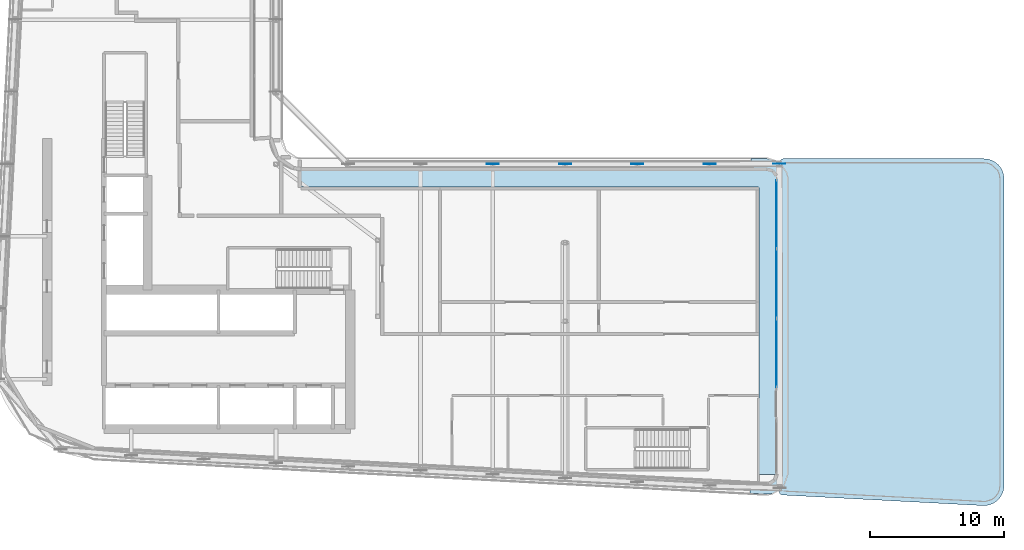
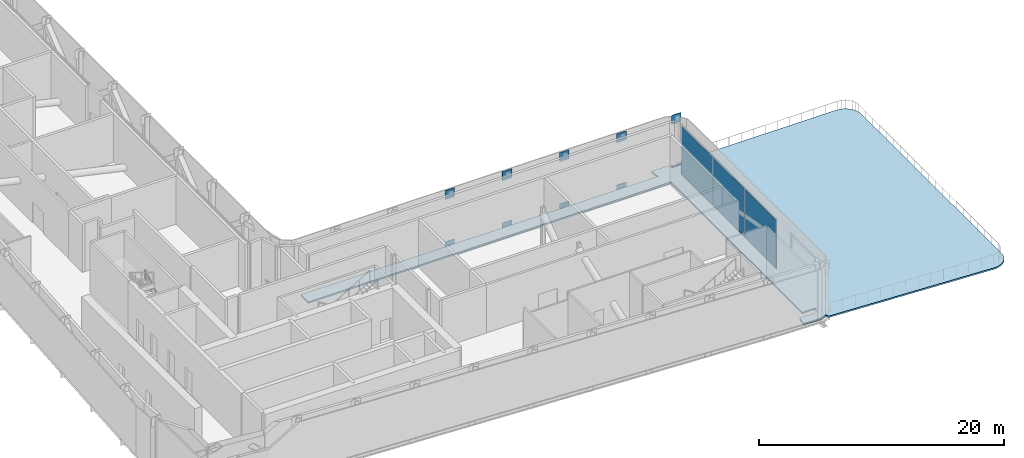
# One storey, part 9 of 23: 13 plates, 1 slab, 1 element without a shape of its own.
"""IFC4 building model written with IfcOpenShell, lengths in metres."""

import ifcopenshell
import ifcopenshell.guid

model = None  # the IFC model being written
_history = None  # IfcOwnerHistory: only IFC2X3 demands one
_inside = {}  # id of a spatial element -> (the spatial element, [elements in it])
_under = {}  # id of a project, library or spatial element -> (it, [spatial elements below it])
_declared = {}  # id of a project -> (the project, [libraries it declares])
_typed = {}  # id of a type object -> (the type object, [elements of that type])
_made_of = {}  # id of a material, layer set ... -> (it, [elements and type objects made of it])


def new_model(schema):
    """Start an empty IFC model of exactly this schema.

    Asked for "IFC4X3", IfcOpenShell would pick the latest addendum, in which some entities
    have other attributes; the version numbers below select the first issue.
    IFC2X3 requires an IfcOwnerHistory on every rooted entity: one is made here for all.
    """
    global model, _history
    if schema == "IFC4X3":
        model = ifcopenshell.file(schema_version=(4, 3, 0, 0))
    else:
        model = ifcopenshell.file(schema=schema)
    _inside.clear()
    _under.clear()
    _declared.clear()
    _typed.clear()
    _made_of.clear()
    _history = None
    if model.schema == "IFC2X3":
        org = make("IfcOrganization", Name="unknown")
        user = make(
            "IfcPersonAndOrganization",
            ThePerson=make("IfcPerson", FamilyName="unknown"),
            TheOrganization=org,
        )
        app = make(
            "IfcApplication",
            ApplicationDeveloper=org,
            Version="unknown",
            ApplicationFullName="unknown",
            ApplicationIdentifier="unknown",
        )
        _history = make(
            "IfcOwnerHistory",
            OwningUser=user,
            OwningApplication=app,
            ChangeAction="ADDED",
            CreationDate=0,
        )
    return model


def make(cls, **values):
    """One entity of the class cls with the attributes given. An attribute that is None is left unset."""
    return model.create_entity(
        cls, **{name: value for name, value in values.items() if value is not None}
    )


def rooted(cls, **values):
    """An entity with a GlobalId (a new one), such as an element, a storey or a relation."""
    return make(cls, GlobalId=ifcopenshell.guid.new(), OwnerHistory=_history, **values)


def si_unit(unit_type, name, prefix=None):
    """IfcSIUnit, for example si_unit("LENGTHUNIT", "METRE", prefix="MILLI")."""
    return make("IfcSIUnit", UnitType=unit_type, Prefix=prefix, Name=name)


def assignment(units):
    """IfcUnitAssignment: the units of a project."""
    return None if units is None else make("IfcUnitAssignment", Units=units)


def point(xyz):
    """IfcCartesianPoint."""
    return None if xyz is None else make("IfcCartesianPoint", Coordinates=xyz)


def direction(xyz):
    """IfcDirection."""
    return None if xyz is None else make("IfcDirection", DirectionRatios=xyz)


def frame(location, z_axis=None, x_axis=None):
    """IfcAxis2Placement3D, a coordinate frame: its origin and axes. An axis left out is left unset."""
    return make(
        "IfcAxis2Placement3D",
        Location=point(location),
        Axis=direction(z_axis),
        RefDirection=direction(x_axis),
    )


def frame_2d(location, x_axis=None):
    """IfcAxis2Placement2D, a coordinate frame in the plane: its origin and x axis."""
    return make(
        "IfcAxis2Placement2D", Location=point(location), RefDirection=direction(x_axis)
    )


def origin():
    """The frame at (0, 0, 0) with its axes left unset."""
    return frame((0.0, 0.0, 0.0))


def origin_2d():
    """The frame at (0, 0) in the plane with its x axis left unset."""
    return frame_2d((0.0, 0.0))


def place(relative_to, where):
    """IfcLocalPlacement: puts the frame where relative to a parent placement (None: the world)."""
    return make(
        "IfcLocalPlacement", PlacementRelTo=relative_to, RelativePlacement=where
    )


def context(
    kind, dimensions, precision=None, world=None, true_north=None, identifier=None
):
    """IfcGeometricRepresentationContext, for example the 3D "Model" context."""
    return make(
        "IfcGeometricRepresentationContext",
        ContextIdentifier=identifier,
        ContextType=kind,
        CoordinateSpaceDimension=dimensions,
        Precision=precision,
        WorldCoordinateSystem=world,
        TrueNorth=true_north,
    )


def subcontext(parent, identifier, kind, view, scale=None):
    """IfcGeometricRepresentationSubContext, for example "Body" below "Model"."""
    return make(
        "IfcGeometricRepresentationSubContext",
        ContextIdentifier=identifier,
        ContextType=kind,
        ParentContext=parent,
        TargetScale=scale,
        TargetView=view,
    )


def project(units=None, contexts=None):
    """IfcProject with its units and contexts."""
    return rooted(
        "IfcProject",
        Name="project",
        RepresentationContexts=contexts,
        UnitsInContext=assignment(units),
    )


def spatial(cls, under=None, at=None, **own):
    """A site, building, storey or space (cls), placed at a placement, below another one or the project."""
    s = rooted(cls, ObjectPlacement=at, **own)
    if under is not None:
        _under.setdefault(under.id(), (under, []))[1].append(s)
    return s


def polyline(points):
    """IfcPolyline through the points."""
    return make("IfcPolyline", Points=[point(p) for p in points])


def profile(cls, at=None, kind="AREA", **sizes):
    """A parametric profile (cls). Its sizes go by their IFC names, for example OverallWidth=200.0."""
    return make(cls, ProfileType=kind, Position=at, **sizes)


def rectangle(**sizes):
    """IfcRectangleProfileDef."""
    return profile("IfcRectangleProfileDef", **sizes)


def outline(outer, holes=None, kind="AREA"):
    """IfcArbitraryClosedProfileDef: a profile drawn as a closed curve; with holes, ...WithVoids."""
    if holes is None:
        return make("IfcArbitraryClosedProfileDef", ProfileType=kind, OuterCurve=outer)
    return make(
        "IfcArbitraryProfileDefWithVoids",
        ProfileType=kind,
        OuterCurve=outer,
        InnerCurves=holes,
    )


def extrude(swept, where, along, depth):
    """IfcExtrudedAreaSolid: the profile swept, set in the frame where, extruded along a direction by depth."""
    return make(
        "IfcExtrudedAreaSolid",
        SweptArea=swept,
        Position=where,
        ExtrudedDirection=direction(along),
        Depth=depth,
    )


def shape(context_of_items, identifier, shape_type, items):
    """IfcShapeRepresentation: the items that make up one representation, for example the "Body"."""
    return make(
        "IfcShapeRepresentation",
        ContextOfItems=context_of_items,
        RepresentationIdentifier=identifier,
        RepresentationType=shape_type,
        Items=items,
    )


def material(Name=None, Category=None):
    """IfcMaterial."""
    return make("IfcMaterial", Name=Name, Category=Category)


def layer(
    of_material, thickness, ventilated=None, Name=None, Category=None, Priority=None
):
    """IfcMaterialLayer: one layer of a wall or slab, of a material (None: an air gap)."""
    return make(
        "IfcMaterialLayer",
        Material=of_material,
        LayerThickness=thickness,
        IsVentilated=ventilated,
        Name=Name,
        Category=Category,
        Priority=Priority,
    )


def layer_set(layers, Name=None):
    """IfcMaterialLayerSet."""
    return make("IfcMaterialLayerSet", MaterialLayers=layers, LayerSetName=Name)


def made_of(thing, what):
    """Note that an element or type object is made of a material, layer set ...; save() writes the relation."""
    if what is not None:
        _made_of.setdefault(what.id(), (what, []))[1].append(thing)
    return thing


def type_object(cls, material=None, **own):
    """A type object (cls), such as IfcWallType, which elements share."""
    return made_of(rooted(cls, **own), material)


def element(
    cls,
    number,
    at=None,
    inside=None,
    cuts=None,
    type_object=None,
    material=None,
    context=None,
    identifier="Body",
    shape_type=None,
    held_by="IfcProductDefinitionShape",
    body=None,
    shapes=None,
    **own,
):
    """One element of the class cls, such as IfcWall. Its Tag is "e" and its number.

    at: its placement. inside: the storey or other place that contains it. cuts: it is an
    opening in that element (IfcRelVoidsElement). A single representation is given by context,
    identifier, shape_type and body (its items); several are given by shapes. held_by: the class
    of the entity that holds the representations. save() writes the other relations.
    """
    e = rooted(cls, Tag="e%d" % number, ObjectPlacement=at, **own)
    if body is not None:
        shapes = [shape(context, identifier, shape_type, body)]
    if shapes is not None:
        e.Representation = make(held_by, Representations=shapes)
    if inside is not None:
        _inside.setdefault(inside.id(), (inside, []))[1].append(e)
    if cuts is not None:
        rooted(
            "IfcRelVoidsElement", RelatingBuildingElement=cuts, RelatedOpeningElement=e
        )
    if type_object is not None:
        _typed.setdefault(type_object.id(), (type_object, []))[1].append(e)
    return made_of(e, material)


def aggregate(whole, parts):
    """IfcRelAggregates: a whole, such as a stair, and the parts it consists of."""
    return rooted("IfcRelAggregates", RelatingObject=whole, RelatedObjects=parts)


def save(model, path):
    """Write the relations noted so far, then the file.

    IfcRelAggregates (storeys below a building ...), IfcRelContainedInSpatialStructure (elements
    in a storey), IfcRelDefinesByType, IfcRelAssociatesMaterial and IfcRelDeclares: one each for
    every whole, place, type object, material and project.
    """
    for whole, parts in _under.values():
        aggregate(whole, parts)
    for where, things in _inside.values():
        rooted(
            "IfcRelContainedInSpatialStructure",
            RelatedElements=things,
            RelatingStructure=where,
        )
    for kind, things in _typed.values():
        rooted("IfcRelDefinesByType", RelatedObjects=things, RelatingType=kind)
    for what, things in _made_of.values():
        rooted("IfcRelAssociatesMaterial", RelatedObjects=things, RelatingMaterial=what)
    for by, libraries in _declared.values():
        rooted("IfcRelDeclares", RelatingContext=by, RelatedDefinitions=libraries)
    model.write(path)


model = new_model("IFC4")

# Units and contexts
model_context = context("Model", 3, precision=1e-05, world=origin(), true_north=direction((0.0, 1.0)))
body_context = subcontext(model_context, "Body", "Model", "MODEL_VIEW")
ifc_project = project(units=[si_unit("LENGTHUNIT", "METRE"), si_unit("AREAUNIT", "SQUARE_METRE"), si_unit("VOLUMEUNIT", "CUBIC_METRE"), si_unit("PLANEANGLEUNIT", "RADIAN"), si_unit("MASSUNIT", "GRAM", prefix="KILO")], contexts=[model_context])

# Site, building, storey
site_placement = place(None, origin())
site = spatial("IfcSite", under=ifc_project, at=site_placement, CompositionType="ELEMENT")
building_placement = place(site_placement, origin())
building = spatial("IfcBuilding", under=site, at=building_placement, Name="Kheshtan School and Residences Tower", CompositionType="ELEMENT")
storey_placement = place(building_placement, frame((0.0, 0.0, 211.10009765625)))
storey = spatial("IfcBuildingStorey", under=building, at=storey_placement, Name="L49", CompositionType="ELEMENT", Elevation=211.10009765625)

# Curtain wall, plates
ifc_material_1 = material(Name="Clear low-e glass in thermally broken aluminium frame", Category="aluminium")
ifc_layer_1 = layer(ifc_material_1, 0.25)
ifc_layer_set_1 = layer_set([ifc_layer_1], Name="Curtain wall CW-G")
curtain_wall_type = type_object("IfcCurtainWallType", Name="Curtain wall CW-G", PredefinedType="NOTDEFINED", material=ifc_layer_set_1)
curtain_wall_placement = place(storey_placement, origin())
curtain_wall = element("IfcCurtainWall", 1, at=curtain_wall_placement, inside=storey, type_object=curtain_wall_type, Name="Curtain wall CWG3", PredefinedType="NOTDEFINED")
ifc_material_2 = material(Name="Insulated terracotta infill panel", Category="masonry")
ifc_layer_2 = layer(ifc_material_2, 0.0380859375)
ifc_layer_set_2 = layer_set([ifc_layer_2], Name="CW-G insulated infill panel")
plate_type_1 = type_object("IfcPlateType", Name="CW-G insulated infill panel", PredefinedType="CURTAIN_PANEL", material=ifc_layer_set_2)
plate_1_placement = place(storey_placement, frame((85.0, 41.85498046875, 0.0), z_axis=(0.0, 0.0, 1.0), x_axis=(0.0, -1.0, 0.0)))
plate_1 = element("IfcPlate", 2, at=plate_1_placement, type_object=plate_type_1, Name="CWG3 infill 1.1", PredefinedType="CURTAIN_PANEL", context=body_context, shape_type="SweptSolid", body=[
    extrude(rectangle(XDim=5.110107421875, YDim=0.0380859375, at=origin_2d()), origin(), (0.0, 0.0, 1.0), 4.7900390625),
])
plate_2_placement = place(storey_placement, frame((85.0, 36.669921875, 0.0), z_axis=(0.0, 0.0, 1.0), x_axis=(0.0, -1.0, 0.0)))
plate_2 = element("IfcPlate", 3, at=plate_2_placement, type_object=plate_type_1, Name="CWG3 infill 2.1", PredefinedType="CURTAIN_PANEL", context=body_context, shape_type="SweptSolid", body=[
    extrude(rectangle(XDim=5.139892578125, YDim=0.0380859375, at=origin_2d()), origin(), (0.0, 0.0, 1.0), 4.7900390625),
])
plate_3_placement = place(storey_placement, frame((85.0, 31.485107421875, 0.0), z_axis=(0.0, 0.0, 1.0), x_axis=(0.0, -1.0, 0.0)))
plate_3 = element("IfcPlate", 4, at=plate_3_placement, type_object=plate_type_1, Name="CWG3 infill 3.1", PredefinedType="CURTAIN_PANEL", context=body_context, shape_type="SweptSolid", body=[
    extrude(rectangle(XDim=5.110107421875, YDim=0.0380859375, at=origin_2d()), origin(), (0.0, 0.0, 1.0), 4.7900390625),
])
aggregate(curtain_wall, [plate_1, plate_2, plate_3])

# Plates
ifc_material_3 = material(Name="Steel ASTM A992 Grade 50", Category="steel")
ifc_layer_3 = layer(ifc_material_3, 0.02490234375)
ifc_layer_set_3 = layer_set([ifc_layer_3], Name="Gusset plate 25 Steel ASTM A992 Grade 50")
plate_type_2 = type_object("IfcPlateType", Name="Gusset plate 25 Steel ASTM A992 Grade 50", PredefinedType="SHEET", material=ifc_layer_set_3)
for number, where, z_axis, x_axis, name in (
    (5, (63.800048828125, 45.60009765625, 4.300048828125), (0.0, 0.0, 1.0), (1.0, 0.0, 0.0), "Gusset plate 20"),
    (6, (63.800048828125, 45.60009765625, -0.800048828125), (0.0, 0.0, 1.0), (1.0, 0.0, 0.0), "Gusset plate 21"),
    (7, (69.199951171875, 45.60009765625, 4.300048828125), (0.0, 0.0, 1.0), (1.0, 0.0, 0.0), "Gusset plate 22"),
    (8, (69.199951171875, 45.60009765625, -0.800048828125), (0.0, 0.0, 1.0), (1.0, 0.0, 0.0), "Gusset plate 23"),
    (9, (74.60009765625, 45.60009765625, 4.300048828125), (0.0, 0.0, 1.0), (1.0, 0.0, 0.0), "Gusset plate 24"),
    (10, (74.60009765625, 45.60009765625, -0.800048828125), (0.0, 0.0, 1.0), (1.0, 0.0, 0.0), "Gusset plate 25"),
    (11, (80.0, 45.60009765625, 4.300048828125), (0.0, 0.0, 1.0), (1.0, 0.0, 0.0), "Gusset plate 26"),
    (12, (80.0, 45.60009765625, -0.800048828125), (0.0, 0.0, 1.0), (1.0, 0.0, 0.0), "Gusset plate 27"),
    (13, (85.201904296875, 45.6279296875, 4.300048828125), (0.0, 0.0, 1.0), (1.0, 0.0, 0.0), "Gusset plate 28"),
    (14, (85.201904296875, 45.6279296875, -0.800048828125), (0.0, 0.0, 1.0), (1.0, 0.0, 0.0), "Gusset plate 29"),
):
    element("IfcPlate", number, at=place(storey_placement, frame(where, z_axis=z_axis, x_axis=x_axis)), inside=storey, type_object=plate_type_2, Name=name, PredefinedType="SHEET", context=body_context, shape_type="SweptSolid", body=[
        extrude(rectangle(XDim=0.89990234375, YDim=0.02490234375, at=origin_2d()), origin(), (0.0, 0.0, 1.0), 0.89990234375),
    ])

# Slab
ifc_material_4 = material(Name="Concrete C40/50", Category="concrete")
ifc_layer_4 = layer(ifc_material_4, 0.14990234375)
ifc_layer_set_4 = layer_set([ifc_layer_4], Name="Terrace slab 150 Concrete C40/50")
slab_type = type_object("IfcSlabType", Name="Terrace slab 150 Concrete C40/50", PredefinedType="FLOOR", material=ifc_layer_set_4)
slab_placement = place(storey_placement, frame((0.0, 0.0, -0.150146484375)))
element("IfcSlab", 15, at=slab_placement, inside=storey, type_object=slab_type, Name="Terrace slab L49", PredefinedType="FLOOR", context=body_context, shape_type="SweptSolid", body=[
    extrude(outline(polyline([(49.47998046875, 43.923095703125), (49.47998046875, 45.076904296875), (49.47998046875, 45.077880859375), (49.48095703125, 45.077880859375), (49.48095703125, 45.0791015625), (49.48095703125, 45.08203125), (49.48095703125, 45.0830078125), (49.48193359375, 45.0830078125), (49.48193359375, 45.083984375), (49.48193359375, 45.0859375), (49.48193359375, 45.0869140625), (49.48291015625, 45.0869140625), (49.48291015625, 45.087890625), (49.48291015625, 45.089111328125), (49.48291015625, 45.090087890625), (49.48388671875, 45.090087890625), (49.48388671875, 45.091064453125), (49.485107421875, 45.091064453125), (49.485107421875, 45.092041015625), (49.486083984375, 45.092041015625), (49.486083984375, 45.093017578125), (49.486083984375, 45.093994140625), (49.487060546875, 45.093994140625), (49.487060546875, 45.094970703125), (49.487060546875, 45.095947265625), (49.488037109375, 45.095947265625), (49.488037109375, 45.096923828125), (49.488037109375, 45.097900390625), (49.501953125, 45.112060546875), (49.5029296875, 45.112060546875), (49.50390625, 45.112060546875), (49.50390625, 45.113037109375), (49.5048828125, 45.113037109375), (49.506103515625, 45.113037109375), (49.506103515625, 45.114013671875), (49.507080078125, 45.114013671875), (49.508056640625, 45.114013671875), (49.508056640625, 45.114990234375), (49.509033203125, 45.114990234375), (49.509033203125, 45.115966796875), (49.510009765625, 45.115966796875), (49.510986328125, 45.115966796875), (49.510986328125, 45.116943359375), (49.511962890625, 45.116943359375), (49.512939453125, 45.116943359375), (49.512939453125, 45.117919921875), (49.513916015625, 45.117919921875), (49.51611328125, 45.117919921875), (49.51708984375, 45.117919921875), (49.51708984375, 45.118896484375), (49.51806640625, 45.118896484375), (49.52099609375, 45.118896484375), (49.52197265625, 45.118896484375), (49.52197265625, 45.1201171875), (49.52294921875, 45.1201171875), (83.155029296875, 45.1201171875), (83.156005859375, 45.1201171875), (83.156005859375, 45.12109375), (83.156982421875, 45.12109375), (83.156982421875, 45.1220703125), (83.156982421875, 45.1240234375), (83.156982421875, 45.125), (83.15087890625, 45.138916015625), (83.15087890625, 45.14306640625), (83.14501953125, 45.1669921875), (83.10888671875, 45.339111328125), (83.10498046875, 45.363037109375), (83.076904296875, 45.636962890625), (83.075927734375, 45.662109375), (83.075927734375, 45.837890625), (83.076904296875, 45.863037109375), (83.091064453125, 45.9990234375), (83.091064453125, 46.0), (83.092041015625, 46.0), (84.300048828125, 46.0), (84.49609375, 45.987060546875), (84.68798828125, 45.948974609375), (84.69189453125, 45.948974609375), (84.8740234375, 45.885986328125), (85.04296875, 45.801025390625), (85.0439453125, 45.801025390625), (85.0458984375, 45.801025390625), (85.047119140625, 45.801025390625), (85.047119140625, 45.802001953125), (85.048095703125, 45.802001953125), (85.048095703125, 45.802978515625), (85.049072265625, 45.802978515625), (85.051025390625, 45.802978515625), (85.052001953125, 45.802978515625), (85.052001953125, 45.802001953125), (85.052978515625, 45.802001953125), (85.053955078125, 45.802001953125), (85.054931640625, 45.802001953125), (85.054931640625, 45.801025390625), (85.055908203125, 45.801025390625), (85.055908203125, 45.800048828125), (85.056884765625, 45.800048828125), (85.056884765625, 45.799072265625), (85.212890625, 45.695068359375), (85.214111328125, 45.695068359375), (85.214111328125, 45.694091796875), (85.215087890625, 45.694091796875), (85.215087890625, 45.693115234375), (85.215087890625, 45.68896484375), (85.215087890625, 45.68798828125), (85.216064453125, 45.68798828125), (85.216064453125, 45.68701171875), (85.217041015625, 45.68701171875), (85.217041015625, 45.68603515625), (85.322998046875, 45.593017578125), (85.323974609375, 45.593017578125), (85.324951171875, 45.593017578125), (85.325927734375, 45.593017578125), (85.325927734375, 45.593994140625), (85.326904296875, 45.593994140625), (85.326904296875, 45.594970703125), (85.326904296875, 45.595947265625), (85.326904296875, 45.596923828125), (85.31591796875, 45.611083984375), (85.303955078125, 45.632080078125), (85.29296875, 45.654052734375), (85.284912109375, 45.673095703125), (85.284912109375, 45.677001953125), (85.279052734375, 45.700927734375), (85.27490234375, 45.72509765625), (85.27392578125, 45.75), (85.27490234375, 45.77490234375), (85.279052734375, 45.799072265625), (85.284912109375, 45.822998046875), (85.284912109375, 45.826904296875), (85.29296875, 45.845947265625), (85.303955078125, 45.867919921875), (85.31591796875, 45.888916015625), (85.326904296875, 45.905029296875), (85.327880859375, 45.905029296875), (85.327880859375, 45.906005859375), (85.3291015625, 45.906005859375), (85.3291015625, 45.906982421875), (85.330078125, 45.906982421875), (85.330078125, 45.907958984375), (85.3310546875, 45.907958984375), (85.3310546875, 45.908935546875), (85.3310546875, 45.909912109375), (85.3310546875, 45.910888671875), (85.346923828125, 45.927001953125), (85.363037109375, 45.943115234375), (85.364013671875, 45.943115234375), (85.364990234375, 45.943115234375), (85.365966796875, 45.943115234375), (85.365966796875, 45.944091796875), (85.366943359375, 45.944091796875), (85.366943359375, 45.945068359375), (85.367919921875, 45.945068359375), (85.367919921875, 45.946044921875), (85.368896484375, 45.946044921875), (85.368896484375, 45.947021484375), (85.385009765625, 45.9580078125), (85.406005859375, 45.969970703125), (85.427978515625, 45.98095703125), (85.447021484375, 45.989013671875), (85.450927734375, 45.989013671875), (85.47509765625, 45.9951171875), (85.4990234375, 45.9990234375), (85.52392578125, 46.0), (100.491943359375, 46.0), (100.508056640625, 45.9990234375), (100.678955078125, 45.988037109375), (100.7119140625, 45.98388671875), (100.8720703125, 45.951904296875), (100.903076171875, 45.944091796875), (100.906982421875, 45.944091796875), (101.05810546875, 45.89208984375), (101.089111328125, 45.87890625), (101.236083984375, 45.805908203125), (101.263916015625, 45.7900390625), (101.39990234375, 45.698974609375), (101.425048828125, 45.679931640625), (101.5439453125, 45.576904296875), (101.5439453125, 45.575927734375), (101.544921875, 45.575927734375), (101.544921875, 45.574951171875), (101.5458984375, 45.574951171875), (101.5458984375, 45.573974609375), (101.547119140625, 45.573974609375), (101.547119140625, 45.572998046875), (101.548095703125, 45.572998046875), (101.549072265625, 45.572998046875), (101.550048828125, 45.572998046875), (101.551025390625, 45.572998046875), (101.572998046875, 45.551025390625), (101.572998046875, 45.550048828125), (101.572998046875, 45.549072265625), (101.572998046875, 45.548095703125), (101.572998046875, 45.547119140625), (101.573974609375, 45.547119140625), (101.573974609375, 45.5458984375), (101.574951171875, 45.5458984375), (101.574951171875, 45.544921875), (101.575927734375, 45.544921875), (101.575927734375, 45.5439453125), (101.576904296875, 45.5439453125), (101.679931640625, 45.425048828125), (101.698974609375, 45.39990234375), (101.7900390625, 45.263916015625), (101.805908203125, 45.236083984375), (101.87890625, 45.089111328125), (101.89208984375, 45.05810546875), (101.944091796875, 44.906982421875), (101.944091796875, 44.903076171875), (101.951904296875, 44.8720703125), (101.98388671875, 44.7119140625), (101.988037109375, 44.678955078125), (101.9990234375, 44.508056640625), (102.0, 44.491943359375), (102.0, 21.590087890625), (101.9990234375, 21.572998046875), (101.987060546875, 21.39599609375), (101.98291015625, 21.363037109375), (101.948974609375, 21.197021484375), (101.948974609375, 21.193115234375), (101.93994140625, 21.1640625), (101.884033203125, 21.00390625), (101.8701171875, 20.972900390625), (101.79296875, 20.822998046875), (101.77587890625, 20.7939453125), (101.679931640625, 20.656005859375), (101.662109375, 20.633056640625), (101.660888671875, 20.633056640625), (101.660888671875, 20.632080078125), (101.659912109375, 20.632080078125), (101.659912109375, 20.631103515625), (101.658935546875, 20.631103515625), (101.658935546875, 20.6298828125), (101.657958984375, 20.6298828125), (101.657958984375, 20.62890625), (101.657958984375, 20.6279296875), (101.657958984375, 20.626953125), (101.657958984375, 20.6259765625), (101.54296875, 20.5048828125), (101.52001953125, 20.48193359375), (101.51904296875, 20.48193359375), (101.51806640625, 20.48193359375), (101.51806640625, 20.48095703125), (101.51708984375, 20.48095703125), (101.51708984375, 20.47998046875), (101.51611328125, 20.47998046875), (101.51611328125, 20.47900390625), (101.514892578125, 20.47900390625), (101.514892578125, 20.47802734375), (101.387939453125, 20.3740234375), (101.362060546875, 20.35498046875), (101.218994140625, 20.264892578125), (101.18798828125, 20.2490234375), (101.034912109375, 20.180908203125), (101.001953125, 20.1689453125), (100.843017578125, 20.1220703125), (100.839111328125, 20.1220703125), (100.80810546875, 20.114990234375), (100.64111328125, 20.089111328125), (100.60693359375, 20.0859375), (100.429931640625, 20.0830078125), (100.4130859375, 20.0830078125), (85.44091796875, 20.8720703125), (85.4169921875, 20.875), (85.39306640625, 20.87890625), (85.388916015625, 20.87890625), (85.3701171875, 20.885986328125), (85.347900390625, 20.89599609375), (85.326904296875, 20.906982421875), (85.306884765625, 20.919921875), (85.2919921875, 20.930908203125), (85.2919921875, 20.931884765625), (85.291015625, 20.931884765625), (85.291015625, 20.93310546875), (85.2900390625, 20.93310546875), (85.2900390625, 20.93408203125), (85.2890625, 20.93408203125), (85.2890625, 20.93505859375), (85.2890625, 20.93603515625), (85.2880859375, 20.93603515625), (85.27099609375, 20.951904296875), (85.2548828125, 20.968017578125), (85.2548828125, 20.968994140625), (85.2548828125, 20.969970703125), (85.2548828125, 20.970947265625), (85.25390625, 20.970947265625), (85.25390625, 20.971923828125), (85.2529296875, 20.971923828125), (85.2529296875, 20.972900390625), (85.251953125, 20.972900390625), (85.251953125, 20.97412109375), (85.2509765625, 20.97412109375), (85.241943359375, 20.989990234375), (85.22998046875, 21.010986328125), (85.219970703125, 21.032958984375), (85.212890625, 21.052001953125), (85.212890625, 21.055908203125), (85.2080078125, 21.080078125), (85.205078125, 21.10400390625), (85.2041015625, 21.1279296875), (85.2060546875, 21.152099609375), (85.2099609375, 21.175048828125), (85.216064453125, 21.198974609375), (85.216064453125, 21.202880859375), (85.22509765625, 21.220947265625), (85.235107421875, 21.242919921875), (85.248046875, 21.262939453125), (85.260986328125, 21.281005859375), (85.261962890625, 21.281005859375), (85.261962890625, 21.281982421875), (85.263916015625, 21.283935546875), (85.264892578125, 21.283935546875), (85.264892578125, 21.284912109375), (85.264892578125, 21.285888671875), (85.263916015625, 21.285888671875), (85.263916015625, 21.287109375), (85.262939453125, 21.287109375), (85.261962890625, 21.287109375), (85.260986328125, 21.287109375), (85.260986328125, 21.285888671875), (85.260009765625, 21.284912109375), (85.259033203125, 21.284912109375), (85.259033203125, 21.283935546875), (85.258056640625, 21.283935546875), (85.176025390625, 21.216064453125), (85.00390625, 21.10888671875), (84.819091796875, 21.02587890625), (84.6279296875, 20.968994140625), (84.6240234375, 20.968994140625), (84.424072265625, 20.93896484375), (84.220947265625, 20.93603515625), (83.009033203125, 21.0), (83.008056640625, 21.0), (83.008056640625, 21.0009765625), (83.007080078125, 21.011962890625), (83.006103515625, 21.035888671875), (83.011962890625, 21.31103515625), (83.013916015625, 21.3349609375), (83.0390625, 21.529052734375), (83.04296875, 21.552001953125), (83.075927734375, 21.708984375), (83.08203125, 21.73291015625), (83.08203125, 21.737060546875), (83.135009765625, 21.889892578125), (83.135009765625, 21.89111328125), (83.135009765625, 21.89306640625), (83.135009765625, 21.89404296875), (83.135986328125, 21.89404296875), (84.238037109375, 21.8359375), (84.35009765625, 21.837890625), (84.429931640625, 21.85009765625), (84.43310546875, 21.85009765625), (84.43408203125, 21.85009765625), (84.507080078125, 21.8720703125), (84.5810546875, 21.905029296875), (84.64892578125, 21.947998046875), (84.7080078125, 21.9951171875), (84.7080078125, 21.99609375), (84.708984375, 21.99609375), (84.708984375, 21.9970703125), (84.7099609375, 21.9970703125), (84.7099609375, 21.998046875), (84.7109375, 21.998046875), (84.7109375, 21.9990234375), (84.7109375, 22.0), (84.7109375, 22.0009765625), (84.7109375, 22.001953125), (84.76611328125, 22.05810546875), (84.76708984375, 22.05810546875), (84.76708984375, 22.05908203125), (84.76708984375, 22.06005859375), (84.76708984375, 22.06103515625), (84.76806640625, 22.06103515625), (84.76806640625, 22.06201171875), (84.76904296875, 22.06201171875), (84.76904296875, 22.06298828125), (84.77001953125, 22.06298828125), (84.81298828125, 22.125), (84.84912109375, 22.196044921875), (84.8759765625, 22.27099609375), (84.8759765625, 22.27197265625), (84.8759765625, 22.27490234375), (84.89208984375, 22.35400390625), (84.89697265625, 22.4169921875), (84.89697265625, 22.41796875), (84.89697265625, 22.4189453125), (84.89599609375, 22.4189453125), (84.89599609375, 22.419921875), (84.89501953125, 22.419921875), (84.89306640625, 22.419921875), (84.89208984375, 22.419921875), (84.89208984375, 22.4189453125), (84.89111328125, 22.4189453125), (84.89111328125, 22.41796875), (84.889892578125, 22.41796875), (84.888916015625, 22.41796875), (84.888916015625, 22.4169921875), (84.887939453125, 22.4169921875), (84.886962890625, 22.4169921875), (84.886962890625, 22.416015625), (84.885986328125, 22.416015625), (84.884033203125, 22.416015625), (84.883056640625, 22.416015625), (84.883056640625, 22.4150390625), (84.882080078125, 22.4150390625), (84.87890625, 22.4150390625), (84.8779296875, 22.4150390625), (84.8779296875, 22.4140625), (84.876953125, 22.4140625), (83.722900390625, 22.4140625), (83.721923828125, 22.4140625), (83.721923828125, 22.4150390625), (83.720947265625, 22.4150390625), (83.718017578125, 22.4150390625), (83.717041015625, 22.4150390625), (83.717041015625, 22.416015625), (83.716064453125, 22.416015625), (83.714111328125, 22.416015625), (83.712890625, 22.416015625), (83.712890625, 22.4169921875), (83.7119140625, 22.4169921875), (83.7109375, 22.4169921875), (83.7109375, 22.41796875), (83.7099609375, 22.41796875), (83.708984375, 22.41796875), (83.708984375, 22.4189453125), (83.7080078125, 22.4189453125), (83.7080078125, 22.419921875), (83.70703125, 22.419921875), (83.7060546875, 22.419921875), (83.7060546875, 22.4208984375), (83.705078125, 22.4208984375), (83.7041015625, 22.4208984375), (83.7041015625, 22.422119140625), (83.702880859375, 22.422119140625), (83.701904296875, 22.422119140625), (83.699951171875, 22.424072265625), (83.698974609375, 22.425048828125), (83.697021484375, 22.427001953125), (83.695068359375, 22.428955078125), (83.693115234375, 22.430908203125), (83.69091796875, 22.43310546875), (83.68994140625, 22.43408203125), (83.68798828125, 22.43603515625), (83.68798828125, 22.43701171875), (83.68798828125, 22.43798828125), (83.68701171875, 22.43798828125), (83.68701171875, 22.43896484375), (83.68701171875, 22.43994140625), (83.68603515625, 22.43994140625), (83.68603515625, 22.44091796875), (83.68603515625, 22.44189453125), (83.68505859375, 22.44189453125), (83.68505859375, 22.443115234375), (83.68408203125, 22.443115234375), (83.68408203125, 22.444091796875), (83.68408203125, 22.445068359375), (83.68310546875, 22.445068359375), (83.68310546875, 22.446044921875), (83.68310546875, 22.447021484375), (83.681884765625, 22.447021484375), (83.681884765625, 22.447998046875), (83.681884765625, 22.449951171875), (83.681884765625, 22.450927734375), (83.680908203125, 22.450927734375), (83.680908203125, 22.451904296875), (83.680908203125, 22.455078125), (83.680908203125, 22.4560546875), (83.679931640625, 22.4560546875), (83.679931640625, 22.45703125), (83.679931640625, 43.85498046875), (83.679931640625, 43.85595703125), (83.678955078125, 43.85595703125), (83.678955078125, 43.85693359375), (83.678955078125, 43.85791015625), (83.678955078125, 43.85888671875), (83.677978515625, 43.85888671875), (83.677978515625, 43.860107421875), (83.677978515625, 43.861083984375), (83.677001953125, 43.861083984375), (83.677001953125, 43.862060546875), (83.677001953125, 43.863037109375), (83.677001953125, 43.864013671875), (83.676025390625, 43.864013671875), (83.676025390625, 43.864990234375), (83.676025390625, 43.865966796875), (83.675048828125, 43.865966796875), (83.675048828125, 43.866943359375), (83.674072265625, 43.866943359375), (83.674072265625, 43.867919921875), (83.673095703125, 43.867919921875), (83.673095703125, 43.868896484375), (83.673095703125, 43.8701171875), (83.672119140625, 43.8701171875), (83.672119140625, 43.87109375), (83.6708984375, 43.87109375), (83.6708984375, 43.8720703125), (83.669921875, 43.8720703125), (83.669921875, 43.873046875), (83.6689453125, 43.873046875), (83.6689453125, 43.8740234375), (83.66796875, 43.8740234375), (83.66796875, 43.875), (83.6669921875, 43.875), (83.666015625, 43.875), (83.666015625, 43.8759765625), (83.6650390625, 43.8759765625), (83.6640625, 43.8759765625), (83.6640625, 43.876953125), (83.6630859375, 43.876953125), (83.662109375, 43.876953125), (83.660888671875, 43.876953125), (83.660888671875, 43.8779296875), (83.659912109375, 43.8779296875), (83.658935546875, 43.8779296875), (83.658935546875, 43.87890625), (83.657958984375, 43.87890625), (83.656982421875, 43.87890625), (83.656005859375, 43.87890625), (83.656005859375, 43.8798828125), (83.655029296875, 43.8798828125), (49.52294921875, 43.8798828125), (49.52197265625, 43.8798828125), (49.52197265625, 43.881103515625), (49.52099609375, 43.881103515625), (49.51806640625, 43.881103515625), (49.51708984375, 43.881103515625), (49.51708984375, 43.882080078125), (49.51611328125, 43.882080078125), (49.513916015625, 43.882080078125), (49.512939453125, 43.882080078125), (49.512939453125, 43.883056640625), (49.511962890625, 43.883056640625), (49.510986328125, 43.883056640625), (49.510986328125, 43.884033203125), (49.510009765625, 43.884033203125), (49.509033203125, 43.884033203125), (49.509033203125, 43.885009765625), (49.508056640625, 43.885009765625), (49.508056640625, 43.885986328125), (49.507080078125, 43.885986328125), (49.506103515625, 43.885986328125), (49.506103515625, 43.886962890625), (49.5048828125, 43.886962890625), (49.50390625, 43.886962890625), (49.50390625, 43.887939453125), (49.5029296875, 43.887939453125), (49.501953125, 43.887939453125), (49.488037109375, 43.902099609375), (49.488037109375, 43.903076171875), (49.488037109375, 43.904052734375), (49.487060546875, 43.904052734375), (49.487060546875, 43.905029296875), (49.487060546875, 43.906005859375), (49.486083984375, 43.906005859375), (49.486083984375, 43.906982421875), (49.486083984375, 43.907958984375), (49.485107421875, 43.907958984375), (49.485107421875, 43.908935546875), (49.48388671875, 43.908935546875), (49.48388671875, 43.909912109375), (49.48291015625, 43.909912109375), (49.48291015625, 43.910888671875), (49.48291015625, 43.912109375), (49.48291015625, 43.9130859375), (49.48193359375, 43.9130859375), (49.48193359375, 43.9140625), (49.48193359375, 43.916015625), (49.48193359375, 43.9169921875), (49.48095703125, 43.9169921875), (49.48095703125, 43.91796875), (49.48095703125, 43.9208984375), (49.48095703125, 43.922119140625), (49.47998046875, 43.922119140625), (49.47998046875, 43.923095703125)])), origin(), (0.0, 0.0, 1.0), 0.150146484375),
])

save(model, "model.ifc")
